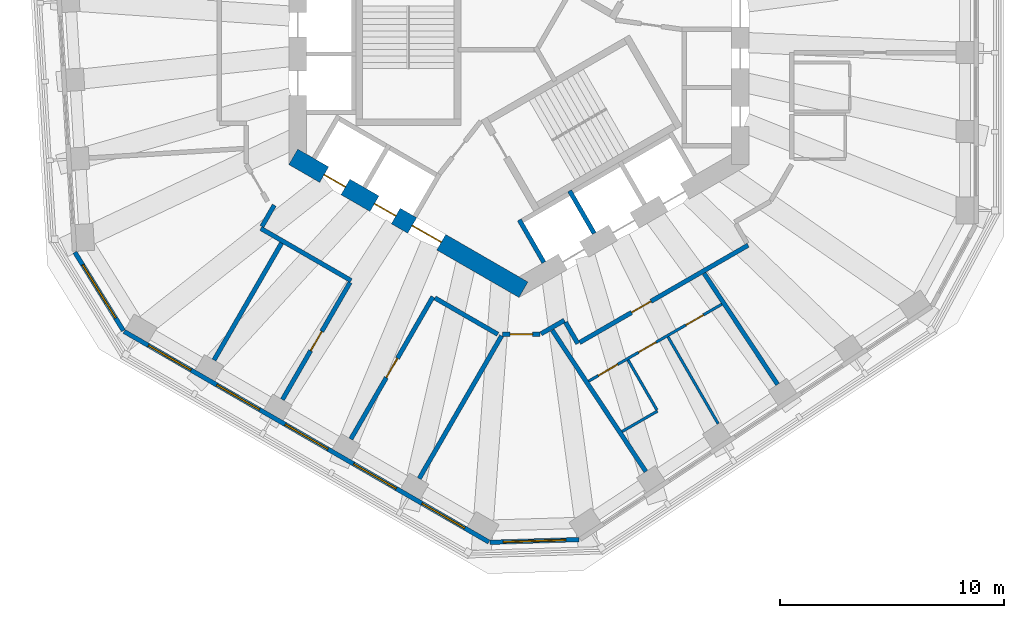
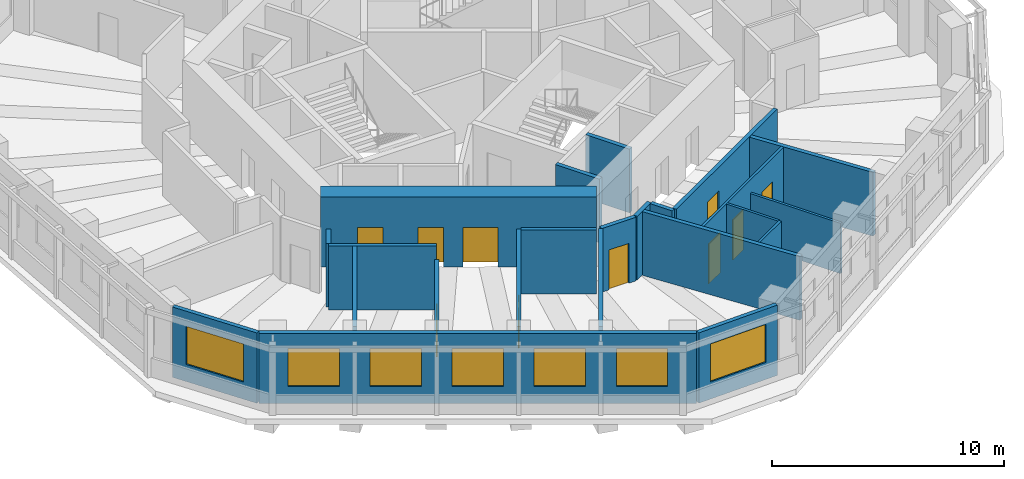
# One storey, part 4 of 11: 23 walls, 10 doors, 7 windows, 17 openings.
"""IFC4 building model written with IfcOpenShell, lengths in metres."""

from ifc_helpers import new_model, si_unit, direction, frame, frame_2d, origin, place, context, subcontext, project, spatial, rectangle, extrude, material, layer, layer_set, type_object, element, fill, save


model = new_model("IFC4")

# Units and contexts
model_context = context("Model", 3, precision=1e-05, world=origin(), true_north=direction((0.0, 1.0)))
body_context = subcontext(model_context, "Body", "Model", "MODEL_VIEW")
ifc_project = project(units=[si_unit("LENGTHUNIT", "METRE"), si_unit("AREAUNIT", "SQUARE_METRE"), si_unit("VOLUMEUNIT", "CUBIC_METRE"), si_unit("PLANEANGLEUNIT", "RADIAN"), si_unit("MASSUNIT", "GRAM", prefix="KILO")], contexts=[model_context])

# Site, building, storey
site_placement = place(None, origin())
site = spatial("IfcSite", under=ifc_project, at=site_placement, CompositionType="ELEMENT")
building_placement = place(site_placement, origin())
building = spatial("IfcBuilding", under=site, at=building_placement, Name="Vanh Sen Convention Tower", CompositionType="ELEMENT")
storey_placement = place(building_placement, frame((0.0, 0.0, 210.60009765625)))
storey = spatial("IfcBuildingStorey", under=building, at=storey_placement, Name="L52", CompositionType="ELEMENT", Elevation=210.60009765625)

# Wall, openings, doors
ifc_material_1 = material(Name="Moisture-resistant gypsum board on steel studs", Category="steel")
ifc_layer_1 = layer(ifc_material_1, 0.1201171875)
ifc_layer_set_1 = layer_set([ifc_layer_1], Name="Moisture-resistant gypsum board on steel studs")
wall_type_1 = type_object("IfcWallType", Name="Bathroom partition 120", PredefinedType="PARTITIONING", material=ifc_layer_set_1)
wall_1_placement = place(storey_placement, frame((3.11669921875, -15.6376953125, 0.0), z_axis=(0.0, 0.0, 1.0), x_axis=(0.866031365477, 0.499989673903, 0.0)))
wall_1 = element("IfcWall", 1, at=wall_1_placement, inside=storey, type_object=wall_type_1, Name="Bathroom partition 120", PredefinedType="PARTITIONING", context=body_context, shape_type="SweptSolid", body=[
    extrude(rectangle(XDim=6.880615234375, YDim=0.1201171875, at=frame_2d((3.4404296875, 0.0))), origin(), (0.0, 0.0, 1.0), 3.349853515625),
])
opening_1_placement = place(wall_1_placement, frame((0.5, 0.0, 0.0)))
opening_1 = element("IfcOpeningElement", 2, at=opening_1_placement, cuts=wall_1, Name="Opening D52114", PredefinedType="OPENING", context=body_context, shape_type="SweptSolid", body=[
    extrude(rectangle(XDim=1.0, YDim=2.10009765625, at=frame_2d((0.5, 1.050048828125))), frame((0.0, 0.070068359375, 0.0), z_axis=(0.0, -1.0, 0.0), x_axis=(1.0, 0.0, 0.0)), (0.0, 0.0, 1.0), 0.14013671875),
])
opening_2_placement = place(wall_1_placement, frame((2.58251953125, 0.0, 0.0)))
opening_2 = element("IfcOpeningElement", 3, at=opening_2_placement, cuts=wall_1, Name="Opening D52115", PredefinedType="OPENING", context=body_context, shape_type="SweptSolid", body=[
    extrude(rectangle(XDim=0.89990234375, YDim=2.10009765625, at=frame_2d((0.449951171875, 1.050048828125))), frame((0.0, 0.070068359375, 0.0), z_axis=(0.0, -1.0, 0.0), x_axis=(1.0, 0.0, 0.0)), (0.0, 0.0, 1.0), 0.14013671875),
])
opening_3_placement = place(wall_1_placement, frame((5.022705078125, 0.0, 0.0)))
opening_3 = element("IfcOpeningElement", 4, at=opening_3_placement, cuts=wall_1, Name="Opening D52116", PredefinedType="OPENING", context=body_context, shape_type="SweptSolid", body=[
    extrude(rectangle(XDim=0.89990234375, YDim=2.10009765625, at=frame_2d((0.449951171875, 1.050048828125))), frame((0.0, 0.070068359375, 0.0), z_axis=(0.0, -1.0, 0.0), x_axis=(1.0, 0.0, 0.0)), (0.0, 0.0, 1.0), 0.14013671875),
])
ifc_material_2 = material(Name="Laminate door in steel frame", Category="steel")
door_type_1 = type_object("IfcDoorType", Name="Accessible WC door 1000", OperationType="SINGLE_SWING_LEFT", PredefinedType="DOOR", material=ifc_material_2)
door_1_placement = place(opening_1_placement, origin())
door_1 = element("IfcDoor", 5, at=door_1_placement, inside=storey, type_object=door_type_1, Name="Accessible WC door D52114", OperationType="SINGLE_SWING_LEFT", OverallHeight=2.10009765625, OverallWidth=1.0, PredefinedType="DOOR", context=body_context, shape_type="SweptSolid", body=[
    extrude(rectangle(XDim=1.0, YDim=2.10009765625, at=frame_2d((0.5, 1.050048828125))), frame((0.0, 0.02490234375, 0.0), z_axis=(0.0, -1.0, 0.0), x_axis=(1.0, 0.0, 0.0)), (0.0, 0.0, 1.0), 0.050048828125),
])
fill(opening_1, door_1)
door_type_2 = type_object("IfcDoorType", Name="Room internal door 900", OperationType="SINGLE_SWING_LEFT", PredefinedType="DOOR", material=ifc_material_2)
door_2_placement = place(opening_2_placement, origin())
door_2 = element("IfcDoor", 6, at=door_2_placement, inside=storey, type_object=door_type_2, Name="Internal room door D52115", OperationType="SINGLE_SWING_LEFT", OverallHeight=2.10009765625, OverallWidth=0.89990234375, PredefinedType="DOOR", context=body_context, shape_type="SweptSolid", body=[
    extrude(rectangle(XDim=0.89990234375, YDim=2.10009765625, at=frame_2d((0.449951171875, 1.050048828125))), frame((0.0, 0.02490234375, 0.0), z_axis=(0.0, -1.0, 0.0), x_axis=(1.0, 0.0, 0.0)), (0.0, 0.0, 1.0), 0.050048828125),
])
fill(opening_2, door_2)
door_3_placement = place(opening_3_placement, origin())
door_3 = element("IfcDoor", 7, at=door_3_placement, inside=storey, type_object=door_type_2, Name="Internal room door D52116", OperationType="SINGLE_SWING_LEFT", OverallHeight=2.10009765625, OverallWidth=0.89990234375, PredefinedType="DOOR", context=body_context, shape_type="SweptSolid", body=[
    extrude(rectangle(XDim=0.89990234375, YDim=2.10009765625, at=frame_2d((0.449951171875, 1.050048828125))), frame((0.0, 0.02490234375, 0.0), z_axis=(0.0, -1.0, 0.0), x_axis=(1.0, 0.0, 0.0)), (0.0, 0.0, 1.0), 0.050048828125),
])
fill(opening_3, door_3)

# Walls
wall_2_placement = place(storey_placement, frame((4.60986328125, -17.893310546875, 0.0), z_axis=(0.0, 0.0, 1.0), x_axis=(0.866023842607, 0.500002704028, 0.0)))
element("IfcWall", 8, at=wall_2_placement, inside=storey, type_object=wall_type_1, Name="Bathroom partition 120", PredefinedType="PARTITIONING", context=body_context, shape_type="SweptSolid", body=[
    extrude(rectangle(XDim=1.8349609375, YDim=0.1201171875, at=frame_2d((0.91748046875, 0.0))), origin(), (0.0, 0.0, 1.0), 3.349853515625),
])
wall_3_placement = place(storey_placement, frame((6.1689453125, -16.923828125, 0.0), z_axis=(0.0, 0.0, 1.0), x_axis=(-0.500047388771, 0.865998042136, 0.0)))
element("IfcWall", 9, at=wall_3_placement, inside=storey, type_object=wall_type_1, Name="Bathroom partition 120", PredefinedType="PARTITIONING", context=body_context, shape_type="SweptSolid", body=[
    extrude(rectangle(XDim=2.579833984375, YDim=0.1201171875, at=frame_2d((1.2900390625, 0.0))), origin(), (0.0, 0.0, 1.0), 3.349853515625),
])
wall_4_placement = place(storey_placement, frame((8.912353515625, -17.54541015625, 0.0), z_axis=(0.0, 0.0, 1.0), x_axis=(-0.500022113525, 0.866012636158, 0.0)))
element("IfcWall", 10, at=wall_4_placement, inside=storey, type_object=wall_type_1, Name="Bathroom partition 120", PredefinedType="PARTITIONING", context=body_context, shape_type="SweptSolid", body=[
    extrude(rectangle(XDim=4.489990234375, YDim=0.1201171875, at=frame_2d((2.2451171875, 0.0))), origin(), (0.0, 0.0, 1.0), 2.64990234375),
])

# Wall, openings, doors
ifc_material_3 = material(Name="Concrete C60/75", Category="concrete")
ifc_layer_2 = layer(ifc_material_3, 0.800048828125)
ifc_layer_set_2 = layer_set([ifc_layer_2], Name="Concrete C60/75")
wall_type_2 = type_object("IfcWallType", Name="Core outer wall 800 C60/75", PredefinedType="SHEAR", material=ifc_layer_set_2)
wall_5_placement = place(storey_placement, frame((-10.10009765625, -5.600341796875, 0.0), z_axis=(0.0, 0.0, 1.0), x_axis=(0.866023897231, -0.500002609418, 0.0)))
wall_5 = element("IfcWall", 11, at=wall_5_placement, inside=storey, type_object=wall_type_2, Name="Core wall face SW L52", PredefinedType="SHEAR", context=body_context, shape_type="SweptSolid", body=[
    extrude(rectangle(XDim=11.8935546875, YDim=0.800048828125, at=frame_2d((5.94677734375, 0.0))), origin(), (0.0, 0.0, 1.0), 3.699951171875),
])
opening_4_placement = place(wall_5_placement, frame((6.146728515625, 0.0, 0.0)))
opening_4 = element("IfcOpeningElement", 12, at=opening_4_placement, cuts=wall_5, Name="Opening D52003", PredefinedType="OPENING", context=body_context, shape_type="SweptSolid", body=[
    extrude(rectangle(XDim=1.5, YDim=2.10009765625, at=frame_2d((0.75, 1.050048828125))), frame((0.0, 0.409912109375, 0.0), z_axis=(0.0, -1.0, 0.0), x_axis=(1.0, 0.0, 0.0)), (0.0, 0.0, 1.0), 0.820068359375),
])
opening_5_placement = place(wall_5_placement, frame((1.5966796875, 0.0, 0.0)))
opening_5 = element("IfcOpeningElement", 13, at=opening_5_placement, cuts=wall_5, Name="Opening LD-HR3", PredefinedType="OPENING", context=body_context, shape_type="SweptSolid", body=[
    extrude(rectangle(XDim=1.10009765625, YDim=2.10009765625, at=frame_2d((0.550048828125, 1.050048828125))), frame((0.0, 0.409912109375, 0.0), z_axis=(0.0, -1.0, 0.0), x_axis=(1.0, 0.0, 0.0)), (0.0, 0.0, 1.0), 0.820068359375),
])
opening_6_placement = place(wall_5_placement, frame((4.19677734375, 0.0, 0.0)))
opening_6 = element("IfcOpeningElement", 14, at=opening_6_placement, cuts=wall_5, Name="Opening LD-HR4", PredefinedType="OPENING", context=body_context, shape_type="SweptSolid", body=[
    extrude(rectangle(XDim=1.10009765625, YDim=2.10009765625, at=frame_2d((0.550048828125, 1.050048828125))), frame((0.0, 0.409912109375, 0.0), z_axis=(0.0, -1.0, 0.0), x_axis=(1.0, 0.0, 0.0)), (0.0, 0.0, 1.0), 0.820068359375),
])
ifc_material_4 = material(Name="Stainless steel", Category="steel")
door_type_3 = type_object("IfcDoorType", Name="Lift landing door 1100", OperationType="DOUBLE_DOOR_SLIDING", PredefinedType="DOOR", material=ifc_material_4)
door_4_placement = place(opening_5_placement, origin())
door_4 = element("IfcDoor", 15, at=door_4_placement, inside=storey, type_object=door_type_3, Name="Lift HR3 landing door LD-HR3", OperationType="DOUBLE_DOOR_SLIDING", OverallHeight=2.10009765625, OverallWidth=1.10009765625, PredefinedType="DOOR", context=body_context, shape_type="SweptSolid", body=[
    extrude(rectangle(XDim=1.10009765625, YDim=2.10009765625, at=frame_2d((0.550048828125, 1.050048828125))), frame((0.0, 0.02490234375, 0.0), z_axis=(0.0, -1.0, 0.0), x_axis=(1.0, 0.0, 0.0)), (0.0, 0.0, 1.0), 0.050048828125),
])
fill(opening_5, door_4)
door_5_placement = place(opening_6_placement, origin())
door_5 = element("IfcDoor", 16, at=door_5_placement, inside=storey, type_object=door_type_3, Name="Lift HR4 landing door LD-HR4", OperationType="DOUBLE_DOOR_SLIDING", OverallHeight=2.10009765625, OverallWidth=1.10009765625, PredefinedType="DOOR", context=body_context, shape_type="SweptSolid", body=[
    extrude(rectangle(XDim=1.10009765625, YDim=2.10009765625, at=frame_2d((0.550048828125, 1.050048828125))), frame((0.0, 0.02490234375, 0.0), z_axis=(0.0, -1.0, 0.0), x_axis=(1.0, 0.0, 0.0)), (0.0, 0.0, 1.0), 0.050048828125),
])
fill(opening_6, door_5)
ifc_material_5 = material(Name="Steel S355", Category="steel")
door_type_4 = type_object("IfcDoorType", Name="Stair lobby door 1500", OperationType="DOUBLE_DOOR_SINGLE_SWING", PredefinedType="DOOR", material=ifc_material_5)
door_6_placement = place(opening_4_placement, origin())
door_6 = element("IfcDoor", 17, at=door_6_placement, inside=storey, type_object=door_type_4, Name="Stair lobby door D52003", OperationType="DOUBLE_DOOR_SINGLE_SWING", OverallHeight=2.10009765625, OverallWidth=1.5, PredefinedType="DOOR", context=body_context, shape_type="SweptSolid", body=[
    extrude(rectangle(XDim=1.5, YDim=2.10009765625, at=frame_2d((0.75, 1.050048828125))), frame((0.0, 0.02490234375, 0.0), z_axis=(0.0, -1.0, 0.0), x_axis=(1.0, 0.0, 0.0)), (0.0, 0.0, 1.0), 0.050048828125),
])
fill(opening_4, door_6)

# Walls
ifc_material_6 = material(Name="Gypsum board on steel studs with mineral wool", Category="steel")
ifc_layer_3 = layer(ifc_material_6, 0.199951171875)
ifc_layer_set_3 = layer_set([ifc_layer_3], Name="Gypsum board on steel studs with mineral wool")
wall_type_3 = type_object("IfcWallType", Name="Corridor partition wall 200", PredefinedType="PARTITIONING", material=ifc_layer_set_3)
wall_6_placement = place(storey_placement, frame((-11.551025390625, -8.80517578125, 0.0), z_axis=(0.0, 0.0, 1.0), x_axis=(0.866038310922, -0.499977643516, 0.0)))
element("IfcWall", 18, at=wall_6_placement, inside=storey, type_object=wall_type_3, Name="Corridor partition wall 200", PredefinedType="PARTITIONING", context=body_context, shape_type="SweptSolid", body=[
    extrude(rectangle(XDim=4.665283203125, YDim=0.199951171875, at=frame_2d((2.33251953125, 0.0))), origin(), (0.0, 0.0, 1.0), 3.349853515625),
])
wall_7_placement = place(storey_placement, frame((-10.95068359375, -7.764892578125, 0.0), z_axis=(0.0, 0.0, 1.0), x_axis=(-0.499978356969, -0.866037899034, 0.0)))
element("IfcWall", 19, at=wall_7_placement, inside=storey, type_object=wall_type_3, Name="Corridor partition wall 200", PredefinedType="PARTITIONING", context=body_context, shape_type="SweptSolid", body=[
    extrude(rectangle(XDim=1.10107421875, YDim=0.199951171875, at=frame_2d((0.550537109375, 0.0))), origin(), (0.0, 0.0, 1.0), 3.349853515625),
])

# Wall, opening, door
wall_8_placement = place(storey_placement, frame((-10.585205078125, -16.462890625, 0.0), z_axis=(0.0, 0.0, 1.0), x_axis=(0.499993802756, 0.866028981735, 0.0)))
wall_8 = element("IfcWall", 20, at=wall_8_placement, inside=storey, type_object=wall_type_3, Name="Corridor partition wall 200", PredefinedType="PARTITIONING", context=body_context, shape_type="SweptSolid", body=[
    extrude(rectangle(XDim=6.048828125, YDim=0.199951171875, at=frame_2d((3.0244140625, 0.0))), origin(), (0.0, 0.0, 1.0), 2.64990234375),
])
opening_7_placement = place(wall_8_placement, frame((2.5244140625, 0.0, 0.0)))
opening_7 = element("IfcOpeningElement", 21, at=opening_7_placement, cuts=wall_8, Name="Opening D52110", PredefinedType="OPENING", context=body_context, shape_type="SweptSolid", body=[
    extrude(rectangle(XDim=1.0, YDim=2.10009765625, at=frame_2d((0.5, 1.050048828125))), frame((0.0, 0.10986328125, 0.0), z_axis=(0.0, -1.0, 0.0), x_axis=(1.0, 0.0, 0.0)), (0.0, 0.0, 1.0), 0.219970703125),
])
ifc_material_7 = material(Name="Glazed fire door in steel frame", Category="steel")
door_type_5 = type_object("IfcDoorType", Name="Tenant entrance door 1000", OperationType="SINGLE_SWING_LEFT", PredefinedType="DOOR", material=ifc_material_7)
door_7_placement = place(opening_7_placement, origin())
door_7 = element("IfcDoor", 22, at=door_7_placement, inside=storey, type_object=door_type_5, Name="Tenant suite entrance door D52110", OperationType="SINGLE_SWING_LEFT", OverallHeight=2.10009765625, OverallWidth=1.0, PredefinedType="DOOR", context=body_context, shape_type="SweptSolid", body=[
    extrude(rectangle(XDim=1.0, YDim=2.10009765625, at=frame_2d((0.5, 1.050048828125))), frame((0.0, 0.02490234375, 0.0), z_axis=(0.0, -1.0, 0.0), x_axis=(1.0, 0.0, 0.0)), (0.0, 0.0, 1.0), 0.050048828125),
])
fill(opening_7, door_7)

wall_9_placement = place(storey_placement, frame((-7.52490234375, -18.229736328125, 0.0), z_axis=(0.0, 0.0, 1.0), x_axis=(0.499983153418, 0.866035129944, 0.0)))
wall_9 = element("IfcWall", 23, at=wall_9_placement, inside=storey, type_object=wall_type_3, Name="Corridor partition wall 200", PredefinedType="PARTITIONING", context=body_context, shape_type="SweptSolid", body=[
    extrude(rectangle(XDim=7.349853515625, YDim=0.199951171875, at=frame_2d((3.6748046875, 0.0))), origin(), (0.0, 0.0, 1.0), 3.349853515625),
])
opening_8_placement = place(wall_9_placement, frame((3.175048828125, 0.0, 0.0)))
opening_8 = element("IfcOpeningElement", 24, at=opening_8_placement, cuts=wall_9, Name="Opening D52111", PredefinedType="OPENING", context=body_context, shape_type="SweptSolid", body=[
    extrude(rectangle(XDim=1.0, YDim=2.10009765625, at=frame_2d((0.5, 1.050048828125))), frame((0.0, 0.10986328125, 0.0), z_axis=(0.0, -1.0, 0.0), x_axis=(1.0, 0.0, 0.0)), (0.0, 0.0, 1.0), 0.219970703125),
])
door_8_placement = place(opening_8_placement, origin())
door_8 = element("IfcDoor", 25, at=door_8_placement, inside=storey, type_object=door_type_5, Name="Tenant suite entrance door D52111", OperationType="SINGLE_SWING_LEFT", OverallHeight=2.10009765625, OverallWidth=1.0, PredefinedType="DOOR", context=body_context, shape_type="SweptSolid", body=[
    extrude(rectangle(XDim=1.0, YDim=2.10009765625, at=frame_2d((0.5, 1.050048828125))), frame((0.0, 0.02490234375, 0.0), z_axis=(0.0, -1.0, 0.0), x_axis=(1.0, 0.0, 0.0)), (0.0, 0.0, 1.0), 0.050048828125),
])
fill(opening_8, door_8)

# Wall
wall_10_placement = place(storey_placement, frame((-3.763427734375, -11.91455078125, 0.0), z_axis=(0.0, 0.0, 1.0), x_axis=(0.866037915695, -0.499978328108, 0.0)))
element("IfcWall", 26, at=wall_10_placement, inside=storey, type_object=wall_type_3, Name="Corridor partition wall 200", PredefinedType="PARTITIONING", context=body_context, shape_type="SweptSolid", body=[
    extrude(rectangle(XDim=3.248779296875, YDim=0.199951171875, at=frame_2d((1.62451171875, 0.0))), origin(), (0.0, 0.0, 1.0), 3.349853515625),
])

# Wall, opening, door
wall_11_placement = place(storey_placement, frame((-0.736328125, -13.538818359375, 0.0), z_axis=(0.0, 0.0, 1.0), x_axis=(1.0, 0.0, 0.0)))
wall_11 = element("IfcWall", 27, at=wall_11_placement, inside=storey, type_object=wall_type_3, Name="Corridor partition wall 200", PredefinedType="PARTITIONING", context=body_context, shape_type="SweptSolid", body=[
    extrude(rectangle(XDim=1.686279296875, YDim=0.199951171875, at=frame_2d((0.84326171875, 0.0))), origin(), (0.0, 0.0, 1.0), 3.349853515625),
])
opening_9_placement = place(wall_11_placement, frame((0.34326171875, 0.0, 0.0)))
opening_9 = element("IfcOpeningElement", 28, at=opening_9_placement, cuts=wall_11, Name="Opening D52112", PredefinedType="OPENING", context=body_context, shape_type="SweptSolid", body=[
    extrude(rectangle(XDim=1.0, YDim=2.10009765625, at=frame_2d((0.5, 1.050048828125))), frame((0.0, 0.10986328125, 0.0), z_axis=(0.0, -1.0, 0.0), x_axis=(1.0, 0.0, 0.0)), (0.0, 0.0, 1.0), 0.219970703125),
])
ifc_material_8 = material(Name="Timber fire door in steel frame", Category="steel")
door_type_6 = type_object("IfcDoorType", Name="Floor room door 1000", OperationType="SINGLE_SWING_LEFT", PredefinedType="DOOR", material=ifc_material_8)
door_9_placement = place(opening_9_placement, origin())
door_9 = element("IfcDoor", 29, at=door_9_placement, inside=storey, type_object=door_type_6, Name="Meeting and amenity room door D52112", OperationType="SINGLE_SWING_LEFT", OverallHeight=2.10009765625, OverallWidth=1.0, PredefinedType="DOOR", context=body_context, shape_type="SweptSolid", body=[
    extrude(rectangle(XDim=1.0, YDim=2.10009765625, at=frame_2d((0.5, 1.050048828125))), frame((0.0, 0.02490234375, 0.0), z_axis=(0.0, -1.0, 0.0), x_axis=(1.0, 0.0, 0.0)), (0.0, 0.0, 1.0), 0.050048828125),
])
fill(opening_9, door_9)

# Walls
wall_12_placement = place(storey_placement, frame((0.984619140625, -13.518798828125, 0.0), z_axis=(0.0, 0.0, 1.0), x_axis=(0.866054082991, 0.499950322867, 0.0)))
element("IfcWall", 30, at=wall_12_placement, inside=storey, type_object=wall_type_3, Name="Corridor partition wall 200", PredefinedType="PARTITIONING", context=body_context, shape_type="SweptSolid", body=[
    extrude(rectangle(XDim=1.20556640625, YDim=0.199951171875, at=frame_2d((0.602783203125, 0.0))), origin(), (0.0, 0.0, 1.0), 3.349853515625),
])
wall_13_placement = place(storey_placement, frame((2.078857421875, -13.002685546875, 0.0), z_axis=(0.0, 0.0, 1.0), x_axis=(0.500074377092, -0.865982457891, 0.0)))
element("IfcWall", 31, at=wall_13_placement, inside=storey, type_object=wall_type_3, Name="Corridor partition wall 200", PredefinedType="PARTITIONING", context=body_context, shape_type="SweptSolid", body=[
    extrude(rectangle(XDim=1.100830078125, YDim=0.199951171875, at=frame_2d((0.55029296875, 0.0))), origin(), (0.0, 0.0, 1.0), 3.349853515625),
])

# Wall, opening, door
wall_14_placement = place(storey_placement, frame((2.7158203125, -13.906005859375, 0.0), z_axis=(0.0, 0.0, 1.0), x_axis=(0.866040290674, 0.499974214264, 0.0)))
wall_14 = element("IfcWall", 32, at=wall_14_placement, inside=storey, type_object=wall_type_3, Name="Corridor partition wall 200", PredefinedType="PARTITIONING", context=body_context, shape_type="SweptSolid", body=[
    extrude(rectangle(XDim=8.7021484375, YDim=0.199951171875, at=frame_2d((4.35107421875, 0.0))), origin(), (0.0, 0.0, 1.0), 3.349853515625),
])
opening_10_placement = place(wall_14_placement, frame((2.678955078125, 0.0, 0.0)))
opening_10 = element("IfcOpeningElement", 33, at=opening_10_placement, cuts=wall_14, Name="Opening D52113", PredefinedType="OPENING", context=body_context, shape_type="SweptSolid", body=[
    extrude(rectangle(XDim=1.0, YDim=2.10009765625, at=frame_2d((0.5, 1.050048828125))), frame((0.0, 0.10986328125, 0.0), z_axis=(0.0, -1.0, 0.0), x_axis=(1.0, 0.0, 0.0)), (0.0, 0.0, 1.0), 0.219970703125),
])
door_10_placement = place(opening_10_placement, origin())
door_10 = element("IfcDoor", 34, at=door_10_placement, inside=storey, type_object=door_type_6, Name="Meeting and amenity room door D52113", OperationType="SINGLE_SWING_LEFT", OverallHeight=2.10009765625, OverallWidth=1.0, PredefinedType="DOOR", context=body_context, shape_type="SweptSolid", body=[
    extrude(rectangle(XDim=1.0, YDim=2.10009765625, at=frame_2d((0.5, 1.050048828125))), frame((0.0, 0.02490234375, 0.0), z_axis=(0.0, -1.0, 0.0), x_axis=(1.0, 0.0, 0.0)), (0.0, 0.0, 1.0), 0.050048828125),
])
fill(opening_10, door_10)

# Wall, opening, window
ifc_material_9 = material(Name="Insulated lightweight infill wall")
ifc_layer_4 = layer(ifc_material_9, 0.199951171875)
ifc_layer_set_4 = layer_set([ifc_layer_4], Name="Insulated lightweight infill wall")
wall_type_4 = type_object("IfcWallType", Name="External wall 200", PredefinedType="STANDARD", material=ifc_layer_set_4)
wall_15_placement = place(storey_placement, frame((-19.872802734375, -9.869140625, 0.0), z_axis=(0.0, 0.0, 1.0), x_axis=(0.52626914263, -0.850318051975, 0.0)))
wall_15 = element("IfcWall", 35, at=wall_15_placement, inside=storey, type_object=wall_type_4, Name="External wall CH4 L52", PredefinedType="STANDARD", context=body_context, shape_type="SweptSolid", body=[
    extrude(rectangle(XDim=4.130126953125, YDim=0.199951171875, at=frame_2d((2.06494140625, 0.0))), origin(), (0.0, 0.0, 1.0), 3.699951171875),
])
opening_11_placement = place(wall_15_placement, frame((0.6650390625, 0.0, 0.89990234375)))
opening_11 = element("IfcOpeningElement", 36, at=opening_11_placement, cuts=wall_15, Name="Opening WO4-CH41", PredefinedType="OPENING", context=body_context, shape_type="SweptSolid", body=[
    extrude(rectangle(XDim=2.800048828125, YDim=2.0, at=frame_2d((1.39990234375, 1.0))), frame((0.0, 0.10986328125, 0.0), z_axis=(0.0, -1.0, 0.0), x_axis=(1.0, 0.0, 0.0)), (0.0, 0.0, 1.0), 0.219970703125),
])
ifc_material_10 = material(Name="Aluminium frame with clear low-emissivity glass", Category="aluminium")
window_type_1 = type_object("IfcWindowType", Name="Office window 2800 x 2000", PartitioningType="SINGLE_PANEL", PredefinedType="WINDOW", material=ifc_material_10)
window_1_placement = place(opening_11_placement, origin())
window_1 = element("IfcWindow", 37, at=window_1_placement, inside=storey, type_object=window_type_1, Name="Window WO4-CH41", OverallHeight=2.0, OverallWidth=2.800048828125, PartitioningType="SINGLE_PANEL", PredefinedType="WINDOW", context=body_context, shape_type="SweptSolid", body=[
    extrude(rectangle(XDim=2.800048828125, YDim=2.0, at=frame_2d((1.39990234375, 1.0))), frame((0.0, 0.030029296875, 0.0), z_axis=(0.0, -1.0, 0.0), x_axis=(1.0, 0.0, 0.0)), (0.0, 0.0, 1.0), 0.06005859375),
])
fill(opening_11, window_1)

# Wall, openings, windows
wall_16_placement = place(storey_placement, frame((-17.664306640625, -13.4150390625, 0.0), z_axis=(0.0, 0.0, 1.0), x_axis=(0.866026555358, -0.49999800541, 0.0)))
wall_16 = element("IfcWall", 38, at=wall_16_placement, inside=storey, type_object=wall_type_4, Name="External wall SW L52", PredefinedType="STANDARD", context=body_context, shape_type="SweptSolid", body=[
    extrude(rectangle(XDim=18.84130859375, YDim=0.199951171875, at=frame_2d((9.420654296875, 0.0))), origin(), (0.0, 0.0, 1.0), 3.699951171875),
])
opening_12_placement = place(wall_16_placement, frame((1.254150390625, 0.0, 0.89990234375)))
opening_12 = element("IfcOpeningElement", 39, at=opening_12_placement, cuts=wall_16, Name="Opening WO3-SW1", PredefinedType="OPENING", context=body_context, shape_type="SweptSolid", body=[
    extrude(rectangle(XDim=2.199951171875, YDim=2.0, at=frame_2d((1.10009765625, 1.0))), frame((0.0, 0.10986328125, 0.0), z_axis=(0.0, -1.0, 0.0), x_axis=(1.0, 0.0, 0.0)), (0.0, 0.0, 1.0), 0.219970703125),
])
opening_13_placement = place(wall_16_placement, frame((4.787841796875, 0.0, 0.89990234375)))
opening_13 = element("IfcOpeningElement", 40, at=opening_13_placement, cuts=wall_16, Name="Opening WO3-SW2", PredefinedType="OPENING", context=body_context, shape_type="SweptSolid", body=[
    extrude(rectangle(XDim=2.199951171875, YDim=2.0, at=frame_2d((1.10009765625, 1.0))), frame((0.0, 0.10986328125, 0.0), z_axis=(0.0, -1.0, 0.0), x_axis=(1.0, 0.0, 0.0)), (0.0, 0.0, 1.0), 0.219970703125),
])
opening_14_placement = place(wall_16_placement, frame((8.321533203125, 0.0, 0.89990234375)))
opening_14 = element("IfcOpeningElement", 41, at=opening_14_placement, cuts=wall_16, Name="Opening WO3-SW3", PredefinedType="OPENING", context=body_context, shape_type="SweptSolid", body=[
    extrude(rectangle(XDim=2.199951171875, YDim=2.0, at=frame_2d((1.10009765625, 1.0))), frame((0.0, 0.10986328125, 0.0), z_axis=(0.0, -1.0, 0.0), x_axis=(1.0, 0.0, 0.0)), (0.0, 0.0, 1.0), 0.219970703125),
])
opening_15_placement = place(wall_16_placement, frame((11.85498046875, 0.0, 0.89990234375)))
opening_15 = element("IfcOpeningElement", 42, at=opening_15_placement, cuts=wall_16, Name="Opening WO3-SW4", PredefinedType="OPENING", context=body_context, shape_type="SweptSolid", body=[
    extrude(rectangle(XDim=2.199951171875, YDim=2.0, at=frame_2d((1.10009765625, 1.0))), frame((0.0, 0.10986328125, 0.0), z_axis=(0.0, -1.0, 0.0), x_axis=(1.0, 0.0, 0.0)), (0.0, 0.0, 1.0), 0.219970703125),
])
opening_16_placement = place(wall_16_placement, frame((15.388671875, 0.0, 0.89990234375)))
opening_16 = element("IfcOpeningElement", 43, at=opening_16_placement, cuts=wall_16, Name="Opening WO3-SW5", PredefinedType="OPENING", context=body_context, shape_type="SweptSolid", body=[
    extrude(rectangle(XDim=2.199951171875, YDim=2.0, at=frame_2d((1.10009765625, 1.0))), frame((0.0, 0.10986328125, 0.0), z_axis=(0.0, -1.0, 0.0), x_axis=(1.0, 0.0, 0.0)), (0.0, 0.0, 1.0), 0.219970703125),
])
window_type_2 = type_object("IfcWindowType", Name="Office window 2200 x 2000", PartitioningType="SINGLE_PANEL", PredefinedType="WINDOW", material=ifc_material_10)
window_2_placement = place(opening_12_placement, origin())
window_2 = element("IfcWindow", 44, at=window_2_placement, inside=storey, type_object=window_type_2, Name="Window WO3-SW1", OverallHeight=2.0, OverallWidth=2.199951171875, PartitioningType="SINGLE_PANEL", PredefinedType="WINDOW", context=body_context, shape_type="SweptSolid", body=[
    extrude(rectangle(XDim=2.199951171875, YDim=2.0, at=frame_2d((1.10009765625, 1.0))), frame((0.0, 0.030029296875, 0.0), z_axis=(0.0, -1.0, 0.0), x_axis=(1.0, 0.0, 0.0)), (0.0, 0.0, 1.0), 0.06005859375),
])
fill(opening_12, window_2)
window_3_placement = place(opening_13_placement, origin())
window_3 = element("IfcWindow", 45, at=window_3_placement, inside=storey, type_object=window_type_2, Name="Window WO3-SW2", OverallHeight=2.0, OverallWidth=2.199951171875, PartitioningType="SINGLE_PANEL", PredefinedType="WINDOW", context=body_context, shape_type="SweptSolid", body=[
    extrude(rectangle(XDim=2.199951171875, YDim=2.0, at=frame_2d((1.10009765625, 1.0))), frame((0.0, 0.030029296875, 0.0), z_axis=(0.0, -1.0, 0.0), x_axis=(1.0, 0.0, 0.0)), (0.0, 0.0, 1.0), 0.06005859375),
])
fill(opening_13, window_3)
window_4_placement = place(opening_14_placement, origin())
window_4 = element("IfcWindow", 46, at=window_4_placement, inside=storey, type_object=window_type_2, Name="Window WO3-SW3", OverallHeight=2.0, OverallWidth=2.199951171875, PartitioningType="SINGLE_PANEL", PredefinedType="WINDOW", context=body_context, shape_type="SweptSolid", body=[
    extrude(rectangle(XDim=2.199951171875, YDim=2.0, at=frame_2d((1.10009765625, 1.0))), frame((0.0, 0.030029296875, 0.0), z_axis=(0.0, -1.0, 0.0), x_axis=(1.0, 0.0, 0.0)), (0.0, 0.0, 1.0), 0.06005859375),
])
fill(opening_14, window_4)
window_5_placement = place(opening_15_placement, origin())
window_5 = element("IfcWindow", 47, at=window_5_placement, inside=storey, type_object=window_type_2, Name="Window WO3-SW4", OverallHeight=2.0, OverallWidth=2.199951171875, PartitioningType="SINGLE_PANEL", PredefinedType="WINDOW", context=body_context, shape_type="SweptSolid", body=[
    extrude(rectangle(XDim=2.199951171875, YDim=2.0, at=frame_2d((1.10009765625, 1.0))), frame((0.0, 0.030029296875, 0.0), z_axis=(0.0, -1.0, 0.0), x_axis=(1.0, 0.0, 0.0)), (0.0, 0.0, 1.0), 0.06005859375),
])
fill(opening_15, window_5)
window_6_placement = place(opening_16_placement, origin())
window_6 = element("IfcWindow", 48, at=window_6_placement, inside=storey, type_object=window_type_2, Name="Window WO3-SW5", OverallHeight=2.0, OverallWidth=2.199951171875, PartitioningType="SINGLE_PANEL", PredefinedType="WINDOW", context=body_context, shape_type="SweptSolid", body=[
    extrude(rectangle(XDim=2.199951171875, YDim=2.0, at=frame_2d((1.10009765625, 1.0))), frame((0.0, 0.030029296875, 0.0), z_axis=(0.0, -1.0, 0.0), x_axis=(1.0, 0.0, 0.0)), (0.0, 0.0, 1.0), 0.06005859375),
])
fill(opening_16, window_6)

# Wall, opening, window
wall_17_placement = place(storey_placement, frame((-1.294189453125, -22.84912109375, 0.0), z_axis=(0.0, 0.0, 1.0), x_axis=(0.999533952558, 0.030526671678, 0.0)))
wall_17 = element("IfcWall", 49, at=wall_17_placement, inside=storey, type_object=wall_type_4, Name="External wall CH5 L52", PredefinedType="STANDARD", context=body_context, shape_type="SweptSolid", body=[
    extrude(rectangle(XDim=3.98291015625, YDim=0.199951171875, at=frame_2d((1.991455078125, 0.0))), origin(), (0.0, 0.0, 1.0), 3.699951171875),
])
opening_17_placement = place(wall_17_placement, frame((0.59130859375, 0.0, 0.89990234375)))
opening_17 = element("IfcOpeningElement", 50, at=opening_17_placement, cuts=wall_17, Name="Opening WO4-CH51", PredefinedType="OPENING", context=body_context, shape_type="SweptSolid", body=[
    extrude(rectangle(XDim=2.800048828125, YDim=2.0, at=frame_2d((1.39990234375, 1.0))), frame((0.0, 0.10986328125, 0.0), z_axis=(0.0, -1.0, 0.0), x_axis=(1.0, 0.0, 0.0)), (0.0, 0.0, 1.0), 0.219970703125),
])
window_7_placement = place(opening_17_placement, origin())
window_7 = element("IfcWindow", 51, at=window_7_placement, inside=storey, type_object=window_type_1, Name="Window WO4-CH51", OverallHeight=2.0, OverallWidth=2.800048828125, PartitioningType="SINGLE_PANEL", PredefinedType="WINDOW", context=body_context, shape_type="SweptSolid", body=[
    extrude(rectangle(XDim=2.800048828125, YDim=2.0, at=frame_2d((1.39990234375, 1.0))), frame((0.0, 0.030029296875, 0.0), z_axis=(0.0, -1.0, 0.0), x_axis=(1.0, 0.0, 0.0)), (0.0, 0.0, 1.0), 0.06005859375),
])
fill(opening_17, window_7)

# Walls
ifc_material_11 = material(Name="Concrete C40/50", Category="concrete")
ifc_layer_5 = layer(ifc_material_11, 0.199951171875)
ifc_layer_set_5 = layer_set([ifc_layer_5], Name="Concrete C40/50")
wall_type_5 = type_object("IfcWallType", Name="Lift shaft wall 200", PredefinedType="PARTITIONING", material=ifc_layer_set_5)
for number, where, z_axis, x_axis, name in (
    (52, (0.0126953125, -8.422119140625, 0.0), (0.0, 0.0, 1.0), (0.500077893725, -0.86598042715, 0.0), "Lift shaft wall L52"),
    (53, (2.264404296875, -7.1220703125, 0.0), (0.0, 0.0, 1.0), (0.500077893725, -0.86598042715, 0.0), "Lift shaft wall L52"),
):
    element("IfcWall", number, at=place(storey_placement, frame(where, z_axis=z_axis, x_axis=x_axis)), inside=storey, type_object=wall_type_5, Name=name, PredefinedType="PARTITIONING", context=body_context, shape_type="SweptSolid", body=[
        extrude(rectangle(XDim=2.199951171875, YDim=0.199951171875, at=frame_2d((1.10009765625, 0.0))), origin(), (0.0, 0.0, 1.0), 3.349853515625),
    ])
ifc_layer_6 = layer(ifc_material_6, 0.199951171875)
ifc_layer_set_6 = layer_set([ifc_layer_6], Name="Gypsum board on steel studs with mineral wool")
wall_type_6 = type_object("IfcWallType", Name="Tenant suite wall 200", PredefinedType="PARTITIONING", material=ifc_layer_set_6)
wall_18_placement = place(storey_placement, frame((-13.6455078125, -14.6962890625, 0.0), z_axis=(0.0, 0.0, 1.0), x_axis=(0.500006596359, 0.866021595341, 0.0)))
element("IfcWall", 54, at=wall_18_placement, inside=storey, type_object=wall_type_6, Name="Tenant suite wall 200", PredefinedType="PARTITIONING", context=body_context, shape_type="SweptSolid", body=[
    extrude(rectangle(XDim=6.04931640625, YDim=0.199951171875, at=frame_2d((3.024658203125, 0.0))), origin(), (0.0, 0.0, 1.0), 3.349853515625),
])
wall_19_placement = place(storey_placement, frame((-4.46484375, -19.99658203125, 0.0), z_axis=(0.0, 0.0, 1.0), x_axis=(0.500011802906, 0.866018589266, 0.0)))
element("IfcWall", 55, at=wall_19_placement, inside=storey, type_object=wall_type_6, Name="Tenant suite wall 200", PredefinedType="PARTITIONING", context=body_context, shape_type="SweptSolid", body=[
    extrude(rectangle(XDim=7.376708984375, YDim=0.199951171875, at=frame_2d((3.6884765625, 0.0))), origin(), (0.0, 0.0, 1.0), 3.349853515625),
])
wall_20_placement = place(storey_placement, frame((5.67724609375, -19.686767578125, 0.0), z_axis=(0.0, 0.0, 1.0), x_axis=(-0.551936619203, 0.833886064389, 0.0)))
element("IfcWall", 56, at=wall_20_placement, inside=storey, type_object=wall_type_6, Name="Tenant suite wall 200", PredefinedType="PARTITIONING", context=body_context, shape_type="SweptSolid", body=[
    extrude(rectangle(XDim=7.59228515625, YDim=0.199951171875, at=frame_2d((3.796142578125, 0.0))), origin(), (0.0, 0.0, 1.0), 3.349853515625),
])
wall_21_placement = place(storey_placement, frame((11.570556640625, -15.7861328125, 0.0), z_axis=(0.0, 0.0, 1.0), x_axis=(-0.551944861763, 0.833880608705, 0.0)))
element("IfcWall", 57, at=wall_21_placement, inside=storey, type_object=wall_type_6, Name="Tenant suite wall 200", PredefinedType="PARTITIONING", context=body_context, shape_type="SweptSolid", body=[
    extrude(rectangle(XDim=5.956787109375, YDim=0.199951171875, at=frame_2d((2.978515625, 0.0))), origin(), (0.0, 0.0, 1.0), 3.349853515625),
])

save(model, "model.ifc")
